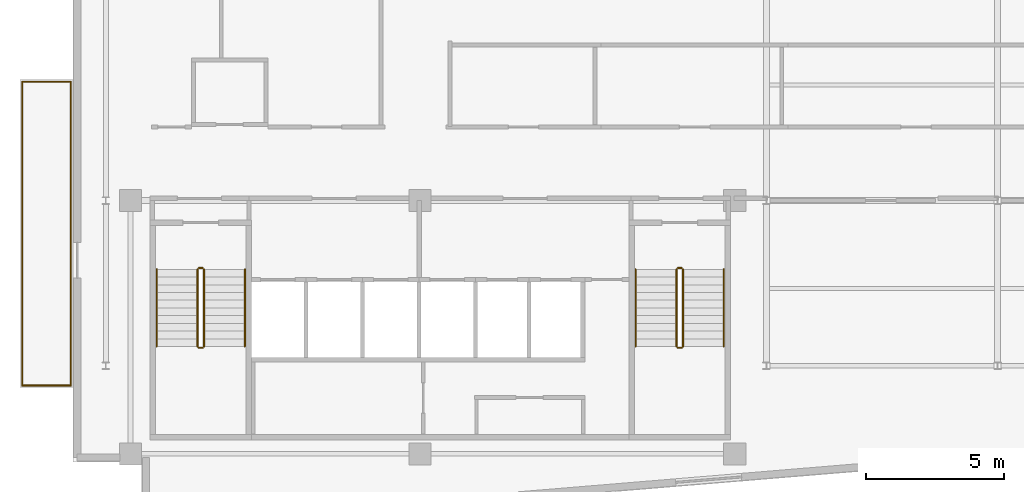
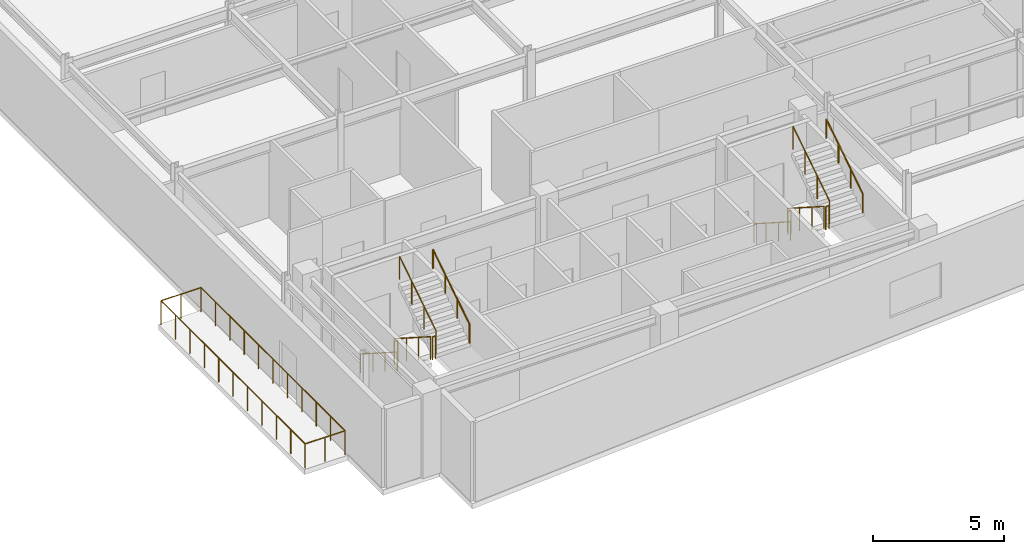
# One storey, part 17 of 19: 16 railings.
"""IFC4 building model written with IfcOpenShell, lengths in metres."""

from ifc_helpers import new_model, si_unit, direction, frame, origin, origin_2d, place, context, subcontext, project, spatial, circle, extrude, material, type_object, element, save


model = new_model("IFC4")

# Units and contexts
model_context = context("Model", 3, precision=1e-05, world=origin(), true_north=direction((0.0, 1.0)))
body_context = subcontext(model_context, "Body", "Model", "MODEL_VIEW")
ifc_project = project(units=[si_unit("LENGTHUNIT", "METRE"), si_unit("AREAUNIT", "SQUARE_METRE"), si_unit("VOLUMEUNIT", "CUBIC_METRE"), si_unit("PLANEANGLEUNIT", "RADIAN"), si_unit("MASSUNIT", "GRAM", prefix="KILO")], contexts=[model_context])

# Site, building, storey
site_placement = place(None, origin())
site = spatial("IfcSite", under=ifc_project, at=site_placement, CompositionType="ELEMENT")
building_placement = place(site_placement, origin())
building = spatial("IfcBuilding", under=site, at=building_placement, Name="Varnakote Quay Hospital", CompositionType="ELEMENT")
storey_placement = place(building_placement, frame((0.0, 0.0, 240.75)))
storey = spatial("IfcBuildingStorey", under=building, at=storey_placement, Name="L59", CompositionType="ELEMENT", Elevation=240.75)

# Railings
ifc_material_1 = material(Name="Anodised aluminium 6063-T6 Bronze", Category="aluminium")
railing_type_1 = type_object("IfcRailingType", Name="RLG-EXT-GUARD-1150", PredefinedType="GUARDRAIL", material=ifc_material_1)
railing_1_placement = place(storey_placement, frame((-0.075927734375, 5.280029296875, 0.0)))
element("IfcRailing", 1, at=railing_1_placement, inside=storey, type_object=railing_type_1, Name="L59 Zigzag Prow Healing Terrace Safety Guard", PredefinedType="GUARDRAIL", context=body_context, shape_type="SweptSolid", body=[
    extrude(circle(Radius=0.02392578125, at=origin_2d()), frame((0.0, 0.0, 1.1259765625), z_axis=(-1.0, 0.0, 0.0), x_axis=(0.0, -1.0, 0.0)), (0.0, 0.0, 1.0), 1.76416015625),
    extrude(circle(Radius=0.02099609375, at=origin_2d()), origin(), (0.0, 0.0, 1.0), 1.101806640625),
    extrude(circle(Radius=0.02099609375, at=origin_2d()), frame((-0.882080078125, 0.0, 0.0)), (0.0, 0.0, 1.0), 1.101806640625),
    extrude(circle(Radius=0.02099609375, at=origin_2d()), frame((-1.76416015625, 0.0, 0.0)), (0.0, 0.0, 1.0), 1.101806640625),
])
railing_2_placement = place(storey_placement, frame((-1.840087890625, 5.280029296875, 0.0)))
element("IfcRailing", 2, at=railing_2_placement, inside=storey, type_object=railing_type_1, Name="L59 Zigzag Prow Healing Terrace Safety Guard", PredefinedType="GUARDRAIL", context=body_context, shape_type="SweptSolid", body=[
    extrude(circle(Radius=0.02392578125, at=origin_2d()), frame((0.0, 0.0, 1.1259765625), z_axis=(0.0, 1.0, 0.0), x_axis=(-1.0, 0.0, 0.0)), (0.0, 0.0, 1.0), 11.0400390625),
    extrude(circle(Radius=0.02099609375, at=origin_2d()), origin(), (0.0, 0.0, 1.0), 1.101806640625),
    extrude(circle(Radius=0.02099609375, at=origin_2d()), frame((0.0, 1.10400390625, 0.0)), (0.0, 0.0, 1.0), 1.101806640625),
    extrude(circle(Radius=0.02099609375, at=origin_2d()), frame((0.0, 2.2080078125, 0.0)), (0.0, 0.0, 1.0), 1.101806640625),
    extrude(circle(Radius=0.02099609375, at=origin_2d()), frame((0.0, 3.31201171875, 0.0)), (0.0, 0.0, 1.0), 1.101806640625),
    extrude(circle(Radius=0.02099609375, at=origin_2d()), frame((0.0, 4.416015625, 0.0)), (0.0, 0.0, 1.0), 1.101806640625),
    extrude(circle(Radius=0.02099609375, at=origin_2d()), frame((0.0, 5.52001953125, 0.0)), (0.0, 0.0, 1.0), 1.101806640625),
    extrude(circle(Radius=0.02099609375, at=origin_2d()), frame((0.0, 6.6240234375, 0.0)), (0.0, 0.0, 1.0), 1.101806640625),
    extrude(circle(Radius=0.02099609375, at=origin_2d()), frame((0.0, 7.72802734375, 0.0)), (0.0, 0.0, 1.0), 1.101806640625),
    extrude(circle(Radius=0.02099609375, at=origin_2d()), frame((0.0, 8.83203125, 0.0)), (0.0, 0.0, 1.0), 1.101806640625),
    extrude(circle(Radius=0.02099609375, at=origin_2d()), frame((0.0, 9.93603515625, 0.0)), (0.0, 0.0, 1.0), 1.101806640625),
    extrude(circle(Radius=0.02099609375, at=origin_2d()), frame((0.0, 11.0400390625, 0.0)), (0.0, 0.0, 1.0), 1.101806640625),
])
railing_3_placement = place(storey_placement, frame((-1.840087890625, 16.320068359375, 0.0)))
element("IfcRailing", 3, at=railing_3_placement, inside=storey, type_object=railing_type_1, Name="L59 Zigzag Prow Healing Terrace Safety Guard", PredefinedType="GUARDRAIL", context=body_context, shape_type="SweptSolid", body=[
    extrude(circle(Radius=0.02392578125, at=origin_2d()), frame((0.0, 0.0, 1.1259765625), z_axis=(1.0, 0.0, 0.0), x_axis=(0.0, 1.0, 0.0)), (0.0, 0.0, 1.0), 1.76416015625),
    extrude(circle(Radius=0.02099609375, at=origin_2d()), origin(), (0.0, 0.0, 1.0), 1.101806640625),
    extrude(circle(Radius=0.02099609375, at=origin_2d()), frame((0.882080078125, 0.0, 0.0)), (0.0, 0.0, 1.0), 1.101806640625),
    extrude(circle(Radius=0.02099609375, at=origin_2d()), frame((1.76416015625, 0.0, 0.0)), (0.0, 0.0, 1.0), 1.101806640625),
])
railing_4_placement = place(storey_placement, frame((-0.075927734375, 16.320068359375, 0.0)))
element("IfcRailing", 4, at=railing_4_placement, inside=storey, type_object=railing_type_1, Name="L59 Zigzag Prow Healing Terrace Safety Guard", PredefinedType="GUARDRAIL", context=body_context, shape_type="SweptSolid", body=[
    extrude(circle(Radius=0.02392578125, at=origin_2d()), frame((0.0, 0.0, 1.1259765625), z_axis=(0.0, -1.0, 0.0), x_axis=(1.0, 0.0, 0.0)), (0.0, 0.0, 1.0), 11.0400390625),
    extrude(circle(Radius=0.02099609375, at=origin_2d()), origin(), (0.0, 0.0, 1.0), 1.101806640625),
    extrude(circle(Radius=0.02099609375, at=origin_2d()), frame((0.0, -1.10400390625, 0.0)), (0.0, 0.0, 1.0), 1.101806640625),
    extrude(circle(Radius=0.02099609375, at=origin_2d()), frame((0.0, -2.2080078125, 0.0)), (0.0, 0.0, 1.0), 1.101806640625),
    extrude(circle(Radius=0.02099609375, at=origin_2d()), frame((0.0, -3.31201171875, 0.0)), (0.0, 0.0, 1.0), 1.101806640625),
    extrude(circle(Radius=0.02099609375, at=origin_2d()), frame((0.0, -4.416015625, 0.0)), (0.0, 0.0, 1.0), 1.101806640625),
    extrude(circle(Radius=0.02099609375, at=origin_2d()), frame((0.0, -5.52001953125, 0.0)), (0.0, 0.0, 1.0), 1.101806640625),
    extrude(circle(Radius=0.02099609375, at=origin_2d()), frame((0.0, -6.6240234375, 0.0)), (0.0, 0.0, 1.0), 1.101806640625),
    extrude(circle(Radius=0.02099609375, at=origin_2d()), frame((0.0, -7.72802734375, 0.0)), (0.0, 0.0, 1.0), 1.101806640625),
    extrude(circle(Radius=0.02099609375, at=origin_2d()), frame((0.0, -8.83203125, 0.0)), (0.0, 0.0, 1.0), 1.101806640625),
    extrude(circle(Radius=0.02099609375, at=origin_2d()), frame((0.0, -9.93603515625, 0.0)), (0.0, 0.0, 1.0), 1.101806640625),
    extrude(circle(Radius=0.02099609375, at=origin_2d()), frame((0.0, -11.0400390625, 0.0)), (0.0, 0.0, 1.0), 1.101806640625),
])
ifc_material_2 = material(Name="Brushed stainless steel balustrade", Category="steel")
railing_type_2 = type_object("IfcRailingType", Name="RLG-STAIR-GUARD-1150", PredefinedType="GUARDRAIL", material=ifc_material_2)
railing_5_placement = place(storey_placement, frame((4.530029296875, 9.5, 0.179443359375)))
element("IfcRailing", 5, at=railing_5_placement, inside=storey, type_object=railing_type_2, Name="L59 ST-01 stair guard 1", PredefinedType="GUARDRAIL", context=body_context, shape_type="SweptSolid", body=[
    extrude(circle(Radius=0.02392578125, at=origin_2d()), frame((0.0, 0.0, 1.076171875), z_axis=(0.0, -0.841776520102, 0.539826166654), x_axis=(1.0, 0.0, 0.0)), (0.0, 0.0, 1.0), 3.326416015625),
    extrude(circle(Radius=0.02099609375, at=origin_2d()), origin(), (0.0, 0.0, 1.0), 1.052001953125),
    extrude(circle(Radius=0.02099609375, at=origin_2d()), frame((0.0, -0.933349609375, 0.5986328125)), (0.0, 0.0, 1.0), 1.052001953125),
    extrude(circle(Radius=0.02099609375, at=origin_2d()), frame((0.0, -1.86669921875, 1.197021484375)), (0.0, 0.0, 1.0), 1.052001953125),
    extrude(circle(Radius=0.02099609375, at=origin_2d()), frame((0.0, -2.800048828125, 1.795654296875)), (0.0, 0.0, 1.0), 1.052001953125),
])
railing_6_placement = place(storey_placement, frame((4.580078125, 6.64990234375, 1.97509765625)))
element("IfcRailing", 6, at=railing_6_placement, inside=storey, type_object=railing_type_2, Name="L59 ST-01 stair guard 2", PredefinedType="GUARDRAIL", context=body_context, shape_type="SweptSolid", body=[
    extrude(circle(Radius=0.02392578125, at=origin_2d()), frame((0.0, 0.0, 1.076171875), z_axis=(1.0, 0.0, 0.0), x_axis=(0.0, 1.0, 0.0)), (0.0, 0.0, 1.0), 0.139892578125),
    extrude(circle(Radius=0.02099609375, at=origin_2d()), origin(), (0.0, 0.0, 1.0), 1.052001953125),
    extrude(circle(Radius=0.02099609375, at=origin_2d()), frame((0.139892578125, 0.0, 0.0)), (0.0, 0.0, 1.0), 1.052001953125),
])
railing_7_placement = place(storey_placement, frame((4.77001953125, 6.699951171875, 2.154541015625)))
element("IfcRailing", 7, at=railing_7_placement, inside=storey, type_object=railing_type_2, Name="L59 ST-01 stair guard 3", PredefinedType="GUARDRAIL", context=body_context, shape_type="SweptSolid", body=[
    extrude(circle(Radius=0.02392578125, at=origin_2d()), frame((0.0, 0.0, 1.076171875), z_axis=(0.0, 0.841809871826, 0.539774156196), x_axis=(-1.0, 0.0, 0.0)), (0.0, 0.0, 1.0), 3.326171875),
    extrude(circle(Radius=0.02099609375, at=origin_2d()), origin(), (0.0, 0.0, 1.0), 1.052001953125),
    extrude(circle(Radius=0.02099609375, at=origin_2d()), frame((0.0, 0.933349609375, 0.598388671875)), (0.0, 0.0, 1.0), 1.052001953125),
    extrude(circle(Radius=0.02099609375, at=origin_2d()), frame((0.0, 1.86669921875, 1.197021484375)), (0.0, 0.0, 1.0), 1.052001953125),
    extrude(circle(Radius=0.02099609375, at=origin_2d()), frame((0.0, 2.800048828125, 1.79541015625)), (0.0, 0.0, 1.0), 1.052001953125),
])
railing_8_placement = place(storey_placement, frame((4.580078125, 9.550048828125, 0.0)))
element("IfcRailing", 8, at=railing_8_placement, inside=storey, type_object=railing_type_2, Name="L59 ST-01 stair guard 4", PredefinedType="GUARDRAIL", context=body_context, shape_type="SweptSolid", body=[
    extrude(circle(Radius=0.02392578125, at=origin_2d()), frame((0.0, 0.0, 1.076171875), z_axis=(1.0, 0.0, 0.0), x_axis=(0.0, 1.0, 0.0)), (0.0, 0.0, 1.0), 0.139892578125),
    extrude(circle(Radius=0.02099609375, at=origin_2d()), origin(), (0.0, 0.0, 1.0), 1.052001953125),
    extrude(circle(Radius=0.02099609375, at=origin_2d()), frame((0.139892578125, 0.0, 0.0)), (0.0, 0.0, 1.0), 1.052001953125),
])
railing_9_placement = place(storey_placement, frame((21.929931640625, 9.5, 0.179443359375)))
element("IfcRailing", 9, at=railing_9_placement, inside=storey, type_object=railing_type_2, Name="L59 ST-02 stair guard 1", PredefinedType="GUARDRAIL", context=body_context, shape_type="SweptSolid", body=[
    extrude(circle(Radius=0.02392578125, at=origin_2d()), frame((0.0, 0.0, 1.076171875), z_axis=(0.0, -0.841776520102, 0.539826166654), x_axis=(1.0, 0.0, 0.0)), (0.0, 0.0, 1.0), 3.326416015625),
    extrude(circle(Radius=0.02099609375, at=origin_2d()), origin(), (0.0, 0.0, 1.0), 1.052001953125),
    extrude(circle(Radius=0.02099609375, at=origin_2d()), frame((0.0, -0.933349609375, 0.5986328125)), (0.0, 0.0, 1.0), 1.052001953125),
    extrude(circle(Radius=0.02099609375, at=origin_2d()), frame((0.0, -1.86669921875, 1.197021484375)), (0.0, 0.0, 1.0), 1.052001953125),
    extrude(circle(Radius=0.02099609375, at=origin_2d()), frame((0.0, -2.800048828125, 1.795654296875)), (0.0, 0.0, 1.0), 1.052001953125),
])
railing_10_placement = place(storey_placement, frame((21.97998046875, 6.64990234375, 1.97509765625)))
element("IfcRailing", 10, at=railing_10_placement, inside=storey, type_object=railing_type_2, Name="L59 ST-02 stair guard 2", PredefinedType="GUARDRAIL", context=body_context, shape_type="SweptSolid", body=[
    extrude(circle(Radius=0.02392578125, at=origin_2d()), frame((0.0, 0.0, 1.076171875), z_axis=(1.0, 0.0, 0.0), x_axis=(0.0, 1.0, 0.0)), (0.0, 0.0, 1.0), 0.14013671875),
    extrude(circle(Radius=0.02099609375, at=origin_2d()), origin(), (0.0, 0.0, 1.0), 1.052001953125),
    extrude(circle(Radius=0.02099609375, at=origin_2d()), frame((0.14013671875, 0.0, 0.0)), (0.0, 0.0, 1.0), 1.052001953125),
])
railing_11_placement = place(storey_placement, frame((22.169921875, 6.699951171875, 2.154541015625)))
element("IfcRailing", 11, at=railing_11_placement, inside=storey, type_object=railing_type_2, Name="L59 ST-02 stair guard 3", PredefinedType="GUARDRAIL", context=body_context, shape_type="SweptSolid", body=[
    extrude(circle(Radius=0.02392578125, at=origin_2d()), frame((0.0, 0.0, 1.076171875), z_axis=(0.0, 0.841809871826, 0.539774156196), x_axis=(-1.0, 0.0, 0.0)), (0.0, 0.0, 1.0), 3.326171875),
    extrude(circle(Radius=0.02099609375, at=origin_2d()), origin(), (0.0, 0.0, 1.0), 1.052001953125),
    extrude(circle(Radius=0.02099609375, at=origin_2d()), frame((0.0, 0.933349609375, 0.598388671875)), (0.0, 0.0, 1.0), 1.052001953125),
    extrude(circle(Radius=0.02099609375, at=origin_2d()), frame((0.0, 1.86669921875, 1.197021484375)), (0.0, 0.0, 1.0), 1.052001953125),
    extrude(circle(Radius=0.02099609375, at=origin_2d()), frame((0.0, 2.800048828125, 1.79541015625)), (0.0, 0.0, 1.0), 1.052001953125),
])
railing_12_placement = place(storey_placement, frame((21.97998046875, 9.550048828125, 0.0)))
element("IfcRailing", 12, at=railing_12_placement, inside=storey, type_object=railing_type_2, Name="L59 ST-02 stair guard 4", PredefinedType="GUARDRAIL", context=body_context, shape_type="SweptSolid", body=[
    extrude(circle(Radius=0.02392578125, at=origin_2d()), frame((0.0, 0.0, 1.076171875), z_axis=(1.0, 0.0, 0.0), x_axis=(0.0, 1.0, 0.0)), (0.0, 0.0, 1.0), 0.14013671875),
    extrude(circle(Radius=0.02099609375, at=origin_2d()), origin(), (0.0, 0.0, 1.0), 1.052001953125),
    extrude(circle(Radius=0.02099609375, at=origin_2d()), frame((0.14013671875, 0.0, 0.0)), (0.0, 0.0, 1.0), 1.052001953125),
])
ifc_material_3 = material(Name="Brushed stainless steel handrail", Category="steel")
railing_type_3 = type_object("IfcRailingType", Name="RLG-STAIR-HND-920", PredefinedType="HANDRAIL", material=ifc_material_3)
railing_13_placement = place(storey_placement, frame((3.050048828125, 9.5, 0.179443359375)))
element("IfcRailing", 13, at=railing_13_placement, inside=storey, type_object=railing_type_3, Name="L59 ST-01 stair handrail 1", PredefinedType="HANDRAIL", context=body_context, shape_type="SweptSolid", body=[
    extrude(circle(Radius=0.02392578125, at=origin_2d()), frame((0.0, 0.0, 0.8759765625), z_axis=(0.0, -0.841776520102, 0.539826166654), x_axis=(1.0, 0.0, 0.0)), (0.0, 0.0, 1.0), 3.326416015625),
    extrude(circle(Radius=0.02099609375, at=origin_2d()), origin(), (0.0, 0.0, 1.0), 0.851806640625),
    extrude(circle(Radius=0.02099609375, at=origin_2d()), frame((0.0, -0.933349609375, 0.5986328125)), (0.0, 0.0, 1.0), 0.851806640625),
    extrude(circle(Radius=0.02099609375, at=origin_2d()), frame((0.0, -1.86669921875, 1.197021484375)), (0.0, 0.0, 1.0), 0.851806640625),
    extrude(circle(Radius=0.02099609375, at=origin_2d()), frame((0.0, -2.800048828125, 1.795654296875)), (0.0, 0.0, 1.0), 0.851806640625),
])
railing_14_placement = place(storey_placement, frame((6.25, 6.699951171875, 2.154541015625)))
element("IfcRailing", 14, at=railing_14_placement, inside=storey, type_object=railing_type_3, Name="L59 ST-01 stair handrail 2", PredefinedType="HANDRAIL", context=body_context, shape_type="SweptSolid", body=[
    extrude(circle(Radius=0.02392578125, at=origin_2d()), frame((0.0, 0.0, 0.8759765625), z_axis=(0.0, 0.841809871826, 0.539774156196), x_axis=(-1.0, 0.0, 0.0)), (0.0, 0.0, 1.0), 3.326171875),
    extrude(circle(Radius=0.02099609375, at=origin_2d()), origin(), (0.0, 0.0, 1.0), 0.851806640625),
    extrude(circle(Radius=0.02099609375, at=origin_2d()), frame((0.0, 0.933349609375, 0.598388671875)), (0.0, 0.0, 1.0), 0.851806640625),
    extrude(circle(Radius=0.02099609375, at=origin_2d()), frame((0.0, 1.86669921875, 1.197021484375)), (0.0, 0.0, 1.0), 0.851806640625),
    extrude(circle(Radius=0.02099609375, at=origin_2d()), frame((0.0, 2.800048828125, 1.79541015625)), (0.0, 0.0, 1.0), 0.851806640625),
])
railing_15_placement = place(storey_placement, frame((20.449951171875, 9.5, 0.179443359375)))
element("IfcRailing", 15, at=railing_15_placement, inside=storey, type_object=railing_type_3, Name="L59 ST-02 stair handrail 1", PredefinedType="HANDRAIL", context=body_context, shape_type="SweptSolid", body=[
    extrude(circle(Radius=0.02392578125, at=origin_2d()), frame((0.0, 0.0, 0.8759765625), z_axis=(0.0, -0.841776520102, 0.539826166654), x_axis=(1.0, 0.0, 0.0)), (0.0, 0.0, 1.0), 3.326416015625),
    extrude(circle(Radius=0.02099609375, at=origin_2d()), origin(), (0.0, 0.0, 1.0), 0.851806640625),
    extrude(circle(Radius=0.02099609375, at=origin_2d()), frame((0.0, -0.933349609375, 0.5986328125)), (0.0, 0.0, 1.0), 0.851806640625),
    extrude(circle(Radius=0.02099609375, at=origin_2d()), frame((0.0, -1.86669921875, 1.197021484375)), (0.0, 0.0, 1.0), 0.851806640625),
    extrude(circle(Radius=0.02099609375, at=origin_2d()), frame((0.0, -2.800048828125, 1.795654296875)), (0.0, 0.0, 1.0), 0.851806640625),
])
railing_16_placement = place(storey_placement, frame((23.64990234375, 6.699951171875, 2.154541015625)))
element("IfcRailing", 16, at=railing_16_placement, inside=storey, type_object=railing_type_3, Name="L59 ST-02 stair handrail 2", PredefinedType="HANDRAIL", context=body_context, shape_type="SweptSolid", body=[
    extrude(circle(Radius=0.02392578125, at=origin_2d()), frame((0.0, 0.0, 0.8759765625), z_axis=(0.0, 0.841809871826, 0.539774156196), x_axis=(-1.0, 0.0, 0.0)), (0.0, 0.0, 1.0), 3.326171875),
    extrude(circle(Radius=0.02099609375, at=origin_2d()), origin(), (0.0, 0.0, 1.0), 0.851806640625),
    extrude(circle(Radius=0.02099609375, at=origin_2d()), frame((0.0, 0.933349609375, 0.598388671875)), (0.0, 0.0, 1.0), 0.851806640625),
    extrude(circle(Radius=0.02099609375, at=origin_2d()), frame((0.0, 1.86669921875, 1.197021484375)), (0.0, 0.0, 1.0), 0.851806640625),
    extrude(circle(Radius=0.02099609375, at=origin_2d()), frame((0.0, 2.800048828125, 1.79541015625)), (0.0, 0.0, 1.0), 0.851806640625),
])

save(model, "model.ifc")
